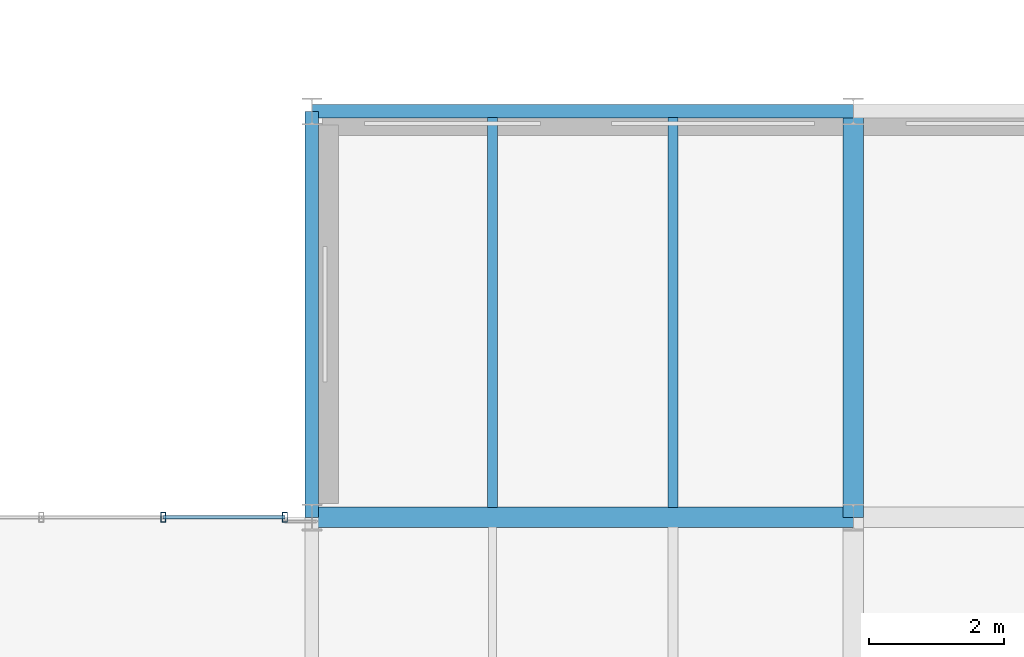
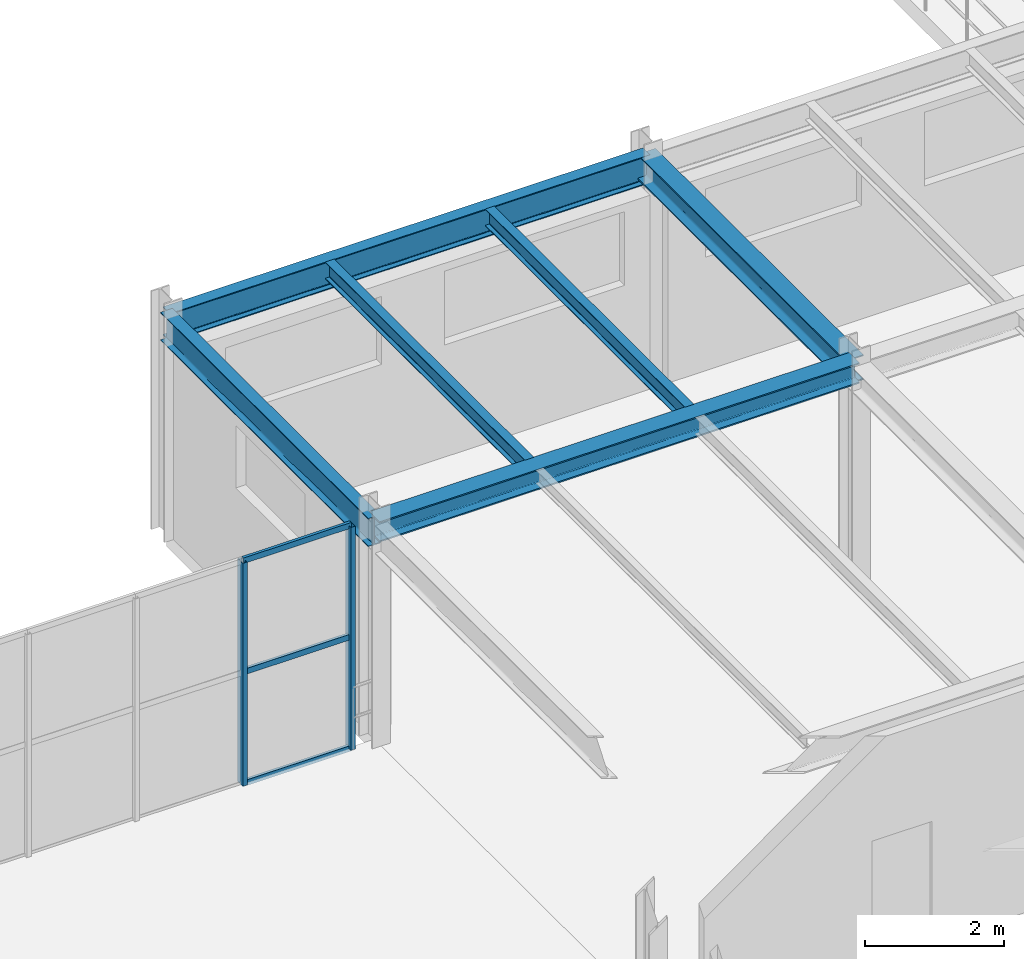
# One storey, part 24 of 67: 6 beams, 5 members, 1 element without a shape of its own.
"""IFC4 building model written with IfcOpenShell, lengths in metres."""

from ifc_helpers import new_model, si_unit, direction, frame, origin, origin_2d, place, context, subcontext, project, spatial, hollow_rectangle, i_section, extrude, material, material_profile, profile_set, type_object, element, aggregate, save


model = new_model("IFC4")

# Units and contexts
model_context = context("Model", 3, precision=1e-05, world=origin(), true_north=direction((0.0, 1.0)))
body_context = subcontext(model_context, "Body", "Model", "MODEL_VIEW")
ifc_project = project(units=[si_unit("LENGTHUNIT", "METRE"), si_unit("AREAUNIT", "SQUARE_METRE"), si_unit("VOLUMEUNIT", "CUBIC_METRE"), si_unit("PLANEANGLEUNIT", "RADIAN"), si_unit("MASSUNIT", "GRAM", prefix="KILO")], contexts=[model_context])

# Site, building, storey
site_placement = place(None, origin())
site = spatial("IfcSite", under=ifc_project, at=site_placement, CompositionType="ELEMENT")
building_placement = place(site_placement, origin())
building = spatial("IfcBuilding", under=site, at=building_placement, Name="Sundkrona Museum", CompositionType="ELEMENT")
storey_placement = place(building_placement, frame((0.0, 0.0, 21.800048828125)))
storey = spatial("IfcBuildingStorey", under=building, at=storey_placement, Name="L04", CompositionType="ELEMENT", Elevation=21.800048828125)

# Beams
ifc_material_1 = material(Name="Steel S355J2", Category="steel")
ifc_material_profile_1 = material_profile(ifc_material_1, i_section(OverallWidth=0.300048828125, OverallDepth=0.43994140625, WebThickness=0.011474609375, FlangeThickness=0.02099609375, FilletRadius=0.027099609375, at=origin_2d()), Name="HEA 450")
ifc_profile_set_1 = profile_set([ifc_material_profile_1], Name="Steel S355J2")
beam_type_1 = type_object("IfcBeamType", Name="B-HEA450", PredefinedType="BEAM", material=ifc_profile_set_1)
beam_1_placement = place(storey_placement, frame((128.0, 40.0, 3.699951171875), z_axis=(0.0, 1.0, 0.0), x_axis=(-1.0, 0.0, 0.0)))
element("IfcBeam", 1, at=beam_1_placement, inside=storey, type_object=beam_type_1, Name="L04 Girder Y-1747", PredefinedType="BEAM", context=body_context, shape_type="SweptSolid", body=[
    extrude(i_section(OverallWidth=0.300048828125, OverallDepth=0.43994140625, WebThickness=0.011474609375, FlangeThickness=0.02099609375, FilletRadius=0.027099609375, at=origin_2d()), origin(), (0.0, 0.0, 1.0), 6.0),
])
ifc_material_profile_2 = material_profile(ifc_material_1, i_section(OverallWidth=0.300048828125, OverallDepth=0.360107421875, WebThickness=0.012451171875, FlangeThickness=0.0224609375, FilletRadius=0.027099609375, at=origin_2d()), Name="HEB 360")
ifc_profile_set_2 = profile_set([ifc_material_profile_2], Name="Steel S355J2")
beam_type_2 = type_object("IfcBeamType", Name="B-HEB360", PredefinedType="BEAM", material=ifc_profile_set_2)
beam_2_placement = place(storey_placement, frame((120.0, 40.0, 3.739990234375), z_axis=(1.0, 0.0, 0.0), x_axis=(0.0, 1.0, 0.0)))
element("IfcBeam", 2, at=beam_2_placement, inside=storey, type_object=beam_type_2, Name="L04 Girder X-1728", PredefinedType="BEAM", context=body_context, shape_type="SweptSolid", body=[
    extrude(i_section(OverallWidth=0.300048828125, OverallDepth=0.360107421875, WebThickness=0.012451171875, FlangeThickness=0.0224609375, FilletRadius=0.027099609375, at=origin_2d()), origin(), (0.0, 0.0, 1.0), 8.0),
])
ifc_material_profile_3 = material_profile(ifc_material_1, i_section(OverallWidth=0.14990234375, OverallDepth=0.300048828125, WebThickness=0.007080078125, FlangeThickness=0.0107421875, FilletRadius=0.014892578125, at=origin_2d()), Name="IPE 300")
ifc_profile_set_3 = profile_set([ifc_material_profile_3], Name="Steel S355J2")
beam_type_3 = type_object("IfcBeamType", Name="J-IPE300", PredefinedType="JOIST", material=ifc_profile_set_3)
for number, where, z_axis, x_axis, name in (
    (3, (122.666748046875, 40.14404296875, 3.77001953125), (0.0, 1.0, 0.0), (-1.0, 0.0, 0.0), "L04 Composite Joist 1187"),
    (4, (125.333251953125, 40.14404296875, 3.77001953125), (0.0, 1.0, 0.0), (-1.0, 0.0, 0.0), "L04 Composite Joist 1188"),
):
    element("IfcBeam", number, at=place(storey_placement, frame(where, z_axis=z_axis, x_axis=x_axis)), inside=storey, type_object=beam_type_3, Name=name, PredefinedType="JOIST", context=body_context, shape_type="SweptSolid", body=[
        extrude(i_section(OverallWidth=0.14990234375, OverallDepth=0.300048828125, WebThickness=0.007080078125, FlangeThickness=0.0107421875, FilletRadius=0.014892578125, at=origin_2d()), origin(), (0.0, 0.0, 1.0), 5.761962890625),
    ])

# Curtain wall, members
ifc_material_2 = material(Name="Unitised Aluminium-Steel and Ceramic-Clad Curtain Walling", Category="steel")
curtain_wall_type = type_object("IfcCurtainWallType", Name="CW-AT-72x38", PredefinedType="NOTDEFINED", material=ifc_material_2)
curtain_wall_placement = place(storey_placement, origin())
curtain_wall = element("IfcCurtainWall", 5, at=curtain_wall_placement, inside=storey, type_object=curtain_wall_type, Name="L04 Curtain Wall CW-L04-091", PredefinedType="NOTDEFINED")
ifc_material_3 = material(Name="Aluminium EN AW-6060 T66", Category="aluminium")
ifc_material_profile_4 = material_profile(ifc_material_3, hollow_rectangle(XDim=0.074951171875, YDim=0.14990234375, WallThickness=0.00634765625, at=origin_2d()), Name="RHS 150x75x6.3")
ifc_profile_set_4 = profile_set([ifc_material_profile_4], Name="Aluminium EN AW-6060 T66")
member_type_1 = type_object("IfcMemberType", Name="ML-150", PredefinedType="MULLION", material=ifc_profile_set_4)
member_1_placement = place(storey_placement, frame((117.800048828125, 40.0, -0.004150390625), z_axis=(0.0, 0.0, 1.0), x_axis=(1.0, 0.0, 0.0)))
member_1 = element("IfcMember", 6, at=member_1_placement, type_object=member_type_1, Name="CW-L04-091 Mullion 04", PredefinedType="MULLION", context=body_context, shape_type="SweptSolid", body=[
    extrude(hollow_rectangle(XDim=0.074951171875, YDim=0.14990234375, WallThickness=0.00634765625, at=origin_2d()), origin(), (0.0, 0.0, 1.0), 3.92822265625),
])
member_2_placement = place(storey_placement, frame((119.60009765625, 40.0, -0.004150390625), z_axis=(0.0, 0.0, 1.0), x_axis=(1.0, 0.0, 0.0)))
member_2 = element("IfcMember", 7, at=member_2_placement, type_object=member_type_1, Name="CW-L04-091 Mullion 05", PredefinedType="MULLION", context=body_context, shape_type="SweptSolid", body=[
    extrude(hollow_rectangle(XDim=0.074951171875, YDim=0.14990234375, WallThickness=0.00634765625, at=origin_2d()), origin(), (0.0, 0.0, 1.0), 3.92822265625),
])

# Beams
ifc_material_profile_5 = material_profile(ifc_material_1, i_section(OverallWidth=0.199951171875, OverallDepth=0.5, WebThickness=0.01025390625, FlangeThickness=0.01611328125, FilletRadius=0.02099609375, at=origin_2d()), Name="IPE 500")
ifc_profile_set_5 = profile_set([ifc_material_profile_5], Name="Steel S355J2")
beam_type_4 = type_object("IfcBeamType", Name="SP-IPE500", PredefinedType="SPANDREL", material=ifc_profile_set_5)
beam_3_placement = place(storey_placement, frame((120.0, 46.0, 3.669921875), z_axis=(1.0, 0.0, 0.0), x_axis=(0.0, 1.0, 0.0)))
element("IfcBeam", 8, at=beam_3_placement, inside=storey, type_object=beam_type_4, Name="L04 Girder X-1732", PredefinedType="SPANDREL", context=body_context, shape_type="SweptSolid", body=[
    extrude(i_section(OverallWidth=0.199951171875, OverallDepth=0.5, WebThickness=0.01025390625, FlangeThickness=0.01611328125, FilletRadius=0.02099609375, at=origin_2d()), origin(), (0.0, 0.0, 1.0), 8.0),
])
beam_4_placement = place(storey_placement, frame((120.0, 40.0, 3.669921875), z_axis=(0.0, 1.0, 0.0), x_axis=(-1.0, 0.0, 0.0)))
element("IfcBeam", 9, at=beam_4_placement, inside=storey, type_object=beam_type_4, Name="L04 Girder Y-1743", PredefinedType="SPANDREL", context=body_context, shape_type="SweptSolid", body=[
    extrude(i_section(OverallWidth=0.199951171875, OverallDepth=0.5, WebThickness=0.01025390625, FlangeThickness=0.01611328125, FilletRadius=0.02099609375, at=origin_2d()), origin(), (0.0, 0.0, 1.0), 6.0),
])

# Member
ifc_material_profile_6 = material_profile(ifc_material_3, hollow_rectangle(XDim=0.050048828125, YDim=0.10009765625, WallThickness=0.0048828125, at=origin_2d()), Name="RHS 100x50x5.0")
ifc_profile_set_6 = profile_set([ifc_material_profile_6], Name="Aluminium EN AW-6060 T66")
member_type_2 = type_object("IfcMemberType", Name="TR-100", PredefinedType="USERDEFINED", material=ifc_profile_set_6)
member_3_placement = place(storey_placement, frame((117.800048828125, 40.0, -0.004150390625), z_axis=(1.0, 0.0, 0.0), x_axis=(0.0, 1.0, 0.0)))
member_3 = element("IfcMember", 10, at=member_3_placement, type_object=member_type_2, Name="CW-L04-091 Transom 10", ObjectType="TRANSOM", PredefinedType="USERDEFINED", context=body_context, shape_type="SweptSolid", body=[
    extrude(hollow_rectangle(XDim=0.050048828125, YDim=0.10009765625, WallThickness=0.0048828125, at=origin_2d()), origin(), (0.0, 0.0, 1.0), 1.800048828125),
])

member_4_placement = place(storey_placement, frame((117.800048828125, 40.0, 1.9599609375), z_axis=(1.0, 0.0, 0.0), x_axis=(0.0, 1.0, 0.0)))
member_4 = element("IfcMember", 11, at=member_4_placement, type_object=member_type_2, Name="CW-L04-091 Transom 11", ObjectType="TRANSOM", PredefinedType="USERDEFINED", context=body_context, shape_type="SweptSolid", body=[
    extrude(hollow_rectangle(XDim=0.050048828125, YDim=0.10009765625, WallThickness=0.0048828125, at=origin_2d()), origin(), (0.0, 0.0, 1.0), 1.800048828125),
])

member_5_placement = place(storey_placement, frame((117.800048828125, 40.0, 3.924072265625), z_axis=(1.0, 0.0, 0.0), x_axis=(0.0, 1.0, 0.0)))
member_5 = element("IfcMember", 12, at=member_5_placement, type_object=member_type_2, Name="CW-L04-091 Transom 12", ObjectType="TRANSOM", PredefinedType="USERDEFINED", context=body_context, shape_type="SweptSolid", body=[
    extrude(hollow_rectangle(XDim=0.050048828125, YDim=0.10009765625, WallThickness=0.0048828125, at=origin_2d()), origin(), (0.0, 0.0, 1.0), 1.800048828125),
])

aggregate(curtain_wall, [member_1, member_2, member_3, member_4, member_5])

save(model, "model.ifc")
